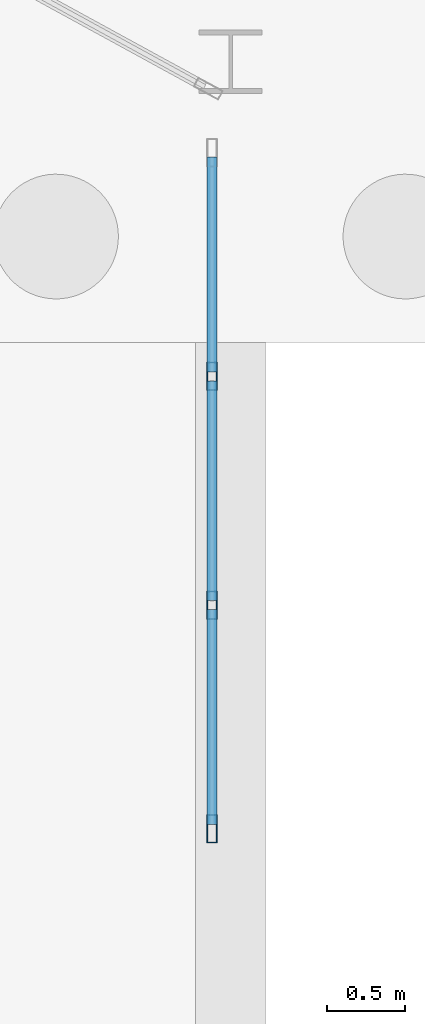
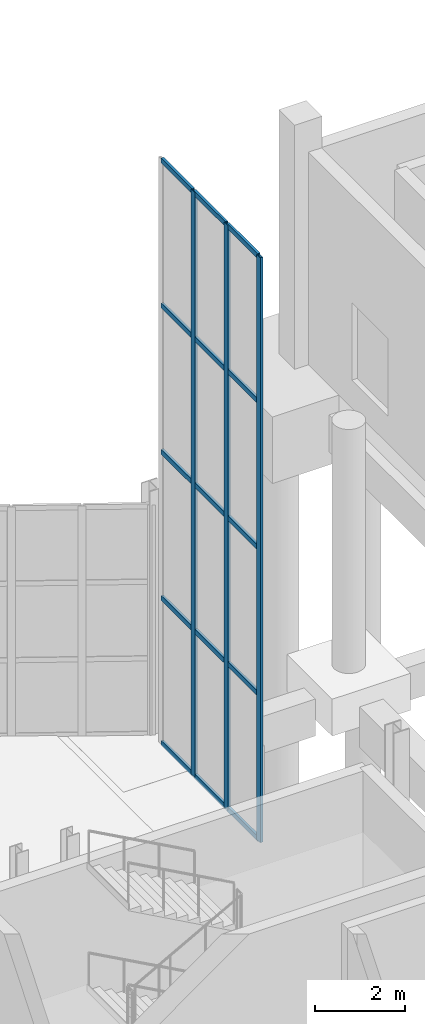
# One storey, part 62 of 115: 18 members, 1 element without a shape of its own.
"""IFC4 building model written with IfcOpenShell, lengths in metres."""

from ifc_helpers import new_model, si_unit, direction, frame, origin, origin_2d, place, context, subcontext, project, spatial, hollow_rectangle, extrude, material, layer, layer_set, material_profile, profile_set, type_object, element, aggregate, save


model = new_model("IFC4")

# Units and contexts
model_context = context("Model", 3, precision=1e-05, world=origin(), true_north=direction((0.0, 1.0)))
body_context = subcontext(model_context, "Body", "Model", "MODEL_VIEW")
ifc_project = project(units=[si_unit("LENGTHUNIT", "METRE"), si_unit("AREAUNIT", "SQUARE_METRE"), si_unit("VOLUMEUNIT", "CUBIC_METRE"), si_unit("PLANEANGLEUNIT", "RADIAN"), si_unit("MASSUNIT", "GRAM", prefix="KILO")], contexts=[model_context])

# Site, building, storey
site_placement = place(None, origin())
site = spatial("IfcSite", under=ifc_project, at=site_placement, CompositionType="ELEMENT")
building_placement = place(site_placement, origin())
building = spatial("IfcBuilding", under=site, at=building_placement, Name="Tamarisk Ironworks Central Station", CompositionType="ELEMENT")
storey_placement = place(building_placement, origin())
storey = spatial("IfcBuildingStorey", under=building, at=storey_placement, Name="L00", CompositionType="ELEMENT", Elevation=0.0)

# Curtain wall, members
ifc_material = material(Name="Anodized aluminium alloy 6063-T6", Category="aluminium")
ifc_layer = layer(ifc_material, 0.179931640625)
ifc_layer_set = layer_set([ifc_layer], Name="Anodized aluminium alloy 6063-T6")
curtain_wall_type = type_object("IfcCurtainWallType", Name="CW-04", PredefinedType="USERDEFINED", material=ifc_layer_set)
curtain_wall_placement = place(storey_placement, origin())
curtain_wall = element("IfcCurtainWall", 1, at=curtain_wall_placement, inside=storey, type_object=curtain_wall_type, Name="Concourse E track-overlook curtain wall 09", ObjectType="GLAZED CURTAIN WALL", PredefinedType="USERDEFINED")
ifc_material_profile_1 = material_profile(ifc_material, hollow_rectangle(XDim=0.06494140625, YDim=0.179931640625, WallThickness=0.00390625, at=origin_2d()), Name="ALUM 180x65")
ifc_profile_set_1 = profile_set([ifc_material_profile_1], Name="Anodized aluminium alloy 6063-T6")
member_type_1 = type_object("IfcMemberType", Name="CWM-02", PredefinedType="MULLION", material=ifc_profile_set_1)
member_1_placement = place(storey_placement, frame((107.8798828125, 106.6826171875, 0.0), z_axis=(0.0, 0.0, 1.0), x_axis=(-1.0, 0.0, 0.0)))
member_1 = element("IfcMember", 2, at=member_1_placement, type_object=member_type_1, Name="CW04 mullion 1", PredefinedType="MULLION", context=body_context, shape_type="SweptSolid", body=[
    extrude(hollow_rectangle(XDim=0.06494140625, YDim=0.179931640625, WallThickness=0.00390625, at=origin_2d()), origin(), (0.0, 0.0, 1.0), 15.820068359375),
])
member_2_placement = place(storey_placement, frame((107.8798828125, 108.11669921875, 0.0), z_axis=(0.0, 0.0, 1.0), x_axis=(-1.0, 0.0, 0.0)))
member_2 = element("IfcMember", 3, at=member_2_placement, type_object=member_type_1, Name="CW04 mullion 2", PredefinedType="MULLION", context=body_context, shape_type="SweptSolid", body=[
    extrude(hollow_rectangle(XDim=0.06494140625, YDim=0.179931640625, WallThickness=0.00390625, at=origin_2d()), origin(), (0.0, 0.0, 1.0), 15.820068359375),
])
member_3_placement = place(storey_placement, frame((107.8798828125, 109.583251953125, 0.0), z_axis=(0.0, 0.0, 1.0), x_axis=(-1.0, 0.0, 0.0)))
member_3 = element("IfcMember", 4, at=member_3_placement, type_object=member_type_1, Name="CW04 mullion 3", PredefinedType="MULLION", context=body_context, shape_type="SweptSolid", body=[
    extrude(hollow_rectangle(XDim=0.06494140625, YDim=0.179931640625, WallThickness=0.00390625, at=origin_2d()), origin(), (0.0, 0.0, 1.0), 15.820068359375),
])
ifc_material_profile_2 = material_profile(ifc_material, hollow_rectangle(XDim=0.06494140625, YDim=0.135009765625, WallThickness=0.00341796875, at=origin_2d()), Name="ALUM 135x65")
ifc_profile_set_2 = profile_set([ifc_material_profile_2], Name="Anodized aluminium alloy 6063-T6")
member_type_2 = type_object("IfcMemberType", Name="CWT-02", PredefinedType="USERDEFINED", material=ifc_profile_set_2)
member_4_placement = place(storey_placement, frame((107.8798828125, 106.7109375, 0.032470703125), z_axis=(0.0, 1.0, 0.0), x_axis=(-1.0, 0.0, 0.0)))
member_4 = element("IfcMember", 5, at=member_4_placement, type_object=member_type_2, Name="CW04 transom 1.1", ObjectType="TRANSOM", PredefinedType="USERDEFINED", context=body_context, shape_type="SweptSolid", body=[
    extrude(hollow_rectangle(XDim=0.06494140625, YDim=0.135009765625, WallThickness=0.00341796875, at=origin_2d()), origin(), (0.0, 0.0, 1.0), 1.377197265625),
])
member_5_placement = place(storey_placement, frame((107.8798828125, 106.7109375, 3.955078125), z_axis=(0.0, 1.0, 0.0), x_axis=(-1.0, 0.0, 0.0)))
member_5 = element("IfcMember", 6, at=member_5_placement, type_object=member_type_2, Name="CW04 transom 1.2", ObjectType="TRANSOM", PredefinedType="USERDEFINED", context=body_context, shape_type="SweptSolid", body=[
    extrude(hollow_rectangle(XDim=0.06494140625, YDim=0.135009765625, WallThickness=0.00341796875, at=origin_2d()), origin(), (0.0, 0.0, 1.0), 1.377197265625),
])
member_6_placement = place(storey_placement, frame((107.8798828125, 106.7109375, 7.909912109375), z_axis=(0.0, 1.0, 0.0), x_axis=(-1.0, 0.0, 0.0)))
member_6 = element("IfcMember", 7, at=member_6_placement, type_object=member_type_2, Name="CW04 transom 1.3", ObjectType="TRANSOM", PredefinedType="USERDEFINED", context=body_context, shape_type="SweptSolid", body=[
    extrude(hollow_rectangle(XDim=0.06494140625, YDim=0.135009765625, WallThickness=0.00341796875, at=origin_2d()), origin(), (0.0, 0.0, 1.0), 1.377197265625),
])
member_7_placement = place(storey_placement, frame((107.8798828125, 106.7109375, 11.864990234375), z_axis=(0.0, 1.0, 0.0), x_axis=(-1.0, 0.0, 0.0)))
member_7 = element("IfcMember", 8, at=member_7_placement, type_object=member_type_2, Name="CW04 transom 1.4", ObjectType="TRANSOM", PredefinedType="USERDEFINED", context=body_context, shape_type="SweptSolid", body=[
    extrude(hollow_rectangle(XDim=0.06494140625, YDim=0.135009765625, WallThickness=0.00341796875, at=origin_2d()), origin(), (0.0, 0.0, 1.0), 1.377197265625),
])
member_8_placement = place(storey_placement, frame((107.8798828125, 106.7109375, 15.78759765625), z_axis=(0.0, 1.0, 0.0), x_axis=(-1.0, 0.0, 0.0)))
member_8 = element("IfcMember", 9, at=member_8_placement, type_object=member_type_2, Name="CW04 transom 1.5", ObjectType="TRANSOM", PredefinedType="USERDEFINED", context=body_context, shape_type="SweptSolid", body=[
    extrude(hollow_rectangle(XDim=0.06494140625, YDim=0.135009765625, WallThickness=0.00341796875, at=origin_2d()), origin(), (0.0, 0.0, 1.0), 1.377197265625),
])
member_9_placement = place(storey_placement, frame((107.8798828125, 108.145263671875, 0.032470703125), z_axis=(0.0, 1.0, 0.0), x_axis=(-1.0, 0.0, 0.0)))
member_9 = element("IfcMember", 10, at=member_9_placement, type_object=member_type_2, Name="CW04 transom 2.1", ObjectType="TRANSOM", PredefinedType="USERDEFINED", context=body_context, shape_type="SweptSolid", body=[
    extrude(hollow_rectangle(XDim=0.06494140625, YDim=0.135009765625, WallThickness=0.00341796875, at=origin_2d()), origin(), (0.0, 0.0, 1.0), 1.40966796875),
])
member_10_placement = place(storey_placement, frame((107.8798828125, 108.145263671875, 3.955078125), z_axis=(0.0, 1.0, 0.0), x_axis=(-1.0, 0.0, 0.0)))
member_10 = element("IfcMember", 11, at=member_10_placement, type_object=member_type_2, Name="CW04 transom 2.2", ObjectType="TRANSOM", PredefinedType="USERDEFINED", context=body_context, shape_type="SweptSolid", body=[
    extrude(hollow_rectangle(XDim=0.06494140625, YDim=0.135009765625, WallThickness=0.00341796875, at=origin_2d()), origin(), (0.0, 0.0, 1.0), 1.40966796875),
])
member_11_placement = place(storey_placement, frame((107.8798828125, 108.145263671875, 7.909912109375), z_axis=(0.0, 1.0, 0.0), x_axis=(-1.0, 0.0, 0.0)))
member_11 = element("IfcMember", 12, at=member_11_placement, type_object=member_type_2, Name="CW04 transom 2.3", ObjectType="TRANSOM", PredefinedType="USERDEFINED", context=body_context, shape_type="SweptSolid", body=[
    extrude(hollow_rectangle(XDim=0.06494140625, YDim=0.135009765625, WallThickness=0.00341796875, at=origin_2d()), origin(), (0.0, 0.0, 1.0), 1.40966796875),
])
member_12_placement = place(storey_placement, frame((107.8798828125, 108.145263671875, 11.864990234375), z_axis=(0.0, 1.0, 0.0), x_axis=(-1.0, 0.0, 0.0)))
member_12 = element("IfcMember", 13, at=member_12_placement, type_object=member_type_2, Name="CW04 transom 2.4", ObjectType="TRANSOM", PredefinedType="USERDEFINED", context=body_context, shape_type="SweptSolid", body=[
    extrude(hollow_rectangle(XDim=0.06494140625, YDim=0.135009765625, WallThickness=0.00341796875, at=origin_2d()), origin(), (0.0, 0.0, 1.0), 1.40966796875),
])
member_13_placement = place(storey_placement, frame((107.8798828125, 108.145263671875, 15.78759765625), z_axis=(0.0, 1.0, 0.0), x_axis=(-1.0, 0.0, 0.0)))
member_13 = element("IfcMember", 14, at=member_13_placement, type_object=member_type_2, Name="CW04 transom 2.5", ObjectType="TRANSOM", PredefinedType="USERDEFINED", context=body_context, shape_type="SweptSolid", body=[
    extrude(hollow_rectangle(XDim=0.06494140625, YDim=0.135009765625, WallThickness=0.00341796875, at=origin_2d()), origin(), (0.0, 0.0, 1.0), 1.40966796875),
])
member_14_placement = place(storey_placement, frame((107.8798828125, 109.61181640625, 0.032470703125), z_axis=(0.0, 1.0, 0.0), x_axis=(-1.0, 0.0, 0.0)))
member_14 = element("IfcMember", 15, at=member_14_placement, type_object=member_type_2, Name="CW04 transom 3.1", ObjectType="TRANSOM", PredefinedType="USERDEFINED", context=body_context, shape_type="SweptSolid", body=[
    extrude(hollow_rectangle(XDim=0.06494140625, YDim=0.135009765625, WallThickness=0.00341796875, at=origin_2d()), origin(), (0.0, 0.0, 1.0), 1.377197265625),
])
member_15_placement = place(storey_placement, frame((107.8798828125, 109.61181640625, 3.955078125), z_axis=(0.0, 1.0, 0.0), x_axis=(-1.0, 0.0, 0.0)))
member_15 = element("IfcMember", 16, at=member_15_placement, type_object=member_type_2, Name="CW04 transom 3.2", ObjectType="TRANSOM", PredefinedType="USERDEFINED", context=body_context, shape_type="SweptSolid", body=[
    extrude(hollow_rectangle(XDim=0.06494140625, YDim=0.135009765625, WallThickness=0.00341796875, at=origin_2d()), origin(), (0.0, 0.0, 1.0), 1.377197265625),
])
member_16_placement = place(storey_placement, frame((107.8798828125, 109.61181640625, 7.909912109375), z_axis=(0.0, 1.0, 0.0), x_axis=(-1.0, 0.0, 0.0)))
member_16 = element("IfcMember", 17, at=member_16_placement, type_object=member_type_2, Name="CW04 transom 3.3", ObjectType="TRANSOM", PredefinedType="USERDEFINED", context=body_context, shape_type="SweptSolid", body=[
    extrude(hollow_rectangle(XDim=0.06494140625, YDim=0.135009765625, WallThickness=0.00341796875, at=origin_2d()), origin(), (0.0, 0.0, 1.0), 1.377197265625),
])
member_17_placement = place(storey_placement, frame((107.8798828125, 109.61181640625, 11.864990234375), z_axis=(0.0, 1.0, 0.0), x_axis=(-1.0, 0.0, 0.0)))
member_17 = element("IfcMember", 18, at=member_17_placement, type_object=member_type_2, Name="CW04 transom 3.4", ObjectType="TRANSOM", PredefinedType="USERDEFINED", context=body_context, shape_type="SweptSolid", body=[
    extrude(hollow_rectangle(XDim=0.06494140625, YDim=0.135009765625, WallThickness=0.00341796875, at=origin_2d()), origin(), (0.0, 0.0, 1.0), 1.377197265625),
])
member_18_placement = place(storey_placement, frame((107.8798828125, 109.61181640625, 15.78759765625), z_axis=(0.0, 1.0, 0.0), x_axis=(-1.0, 0.0, 0.0)))
member_18 = element("IfcMember", 19, at=member_18_placement, type_object=member_type_2, Name="CW04 transom 3.5", ObjectType="TRANSOM", PredefinedType="USERDEFINED", context=body_context, shape_type="SweptSolid", body=[
    extrude(hollow_rectangle(XDim=0.06494140625, YDim=0.135009765625, WallThickness=0.00341796875, at=origin_2d()), origin(), (0.0, 0.0, 1.0), 1.377197265625),
])
aggregate(curtain_wall, [member_1, member_2, member_3, member_4, member_5, member_6, member_7, member_8, member_9, member_10, member_11, member_12, member_13, member_14, member_15, member_16, member_17, member_18])

save(model, "model.ifc")
